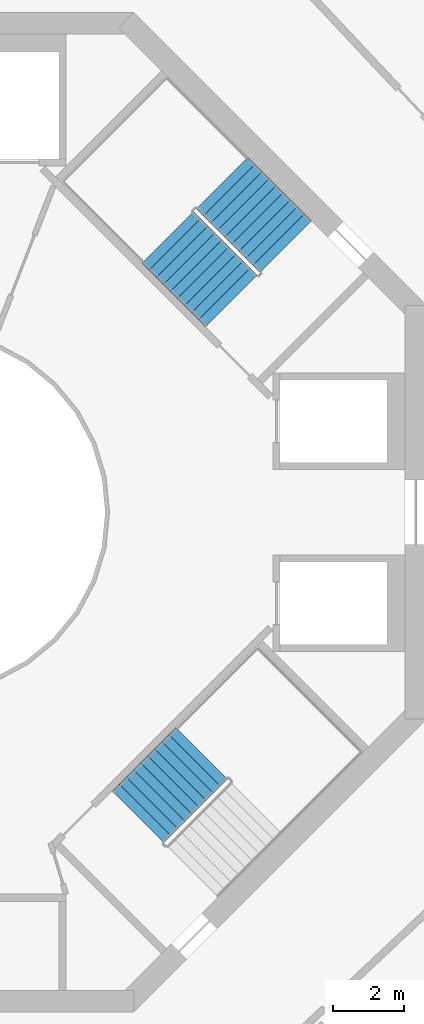
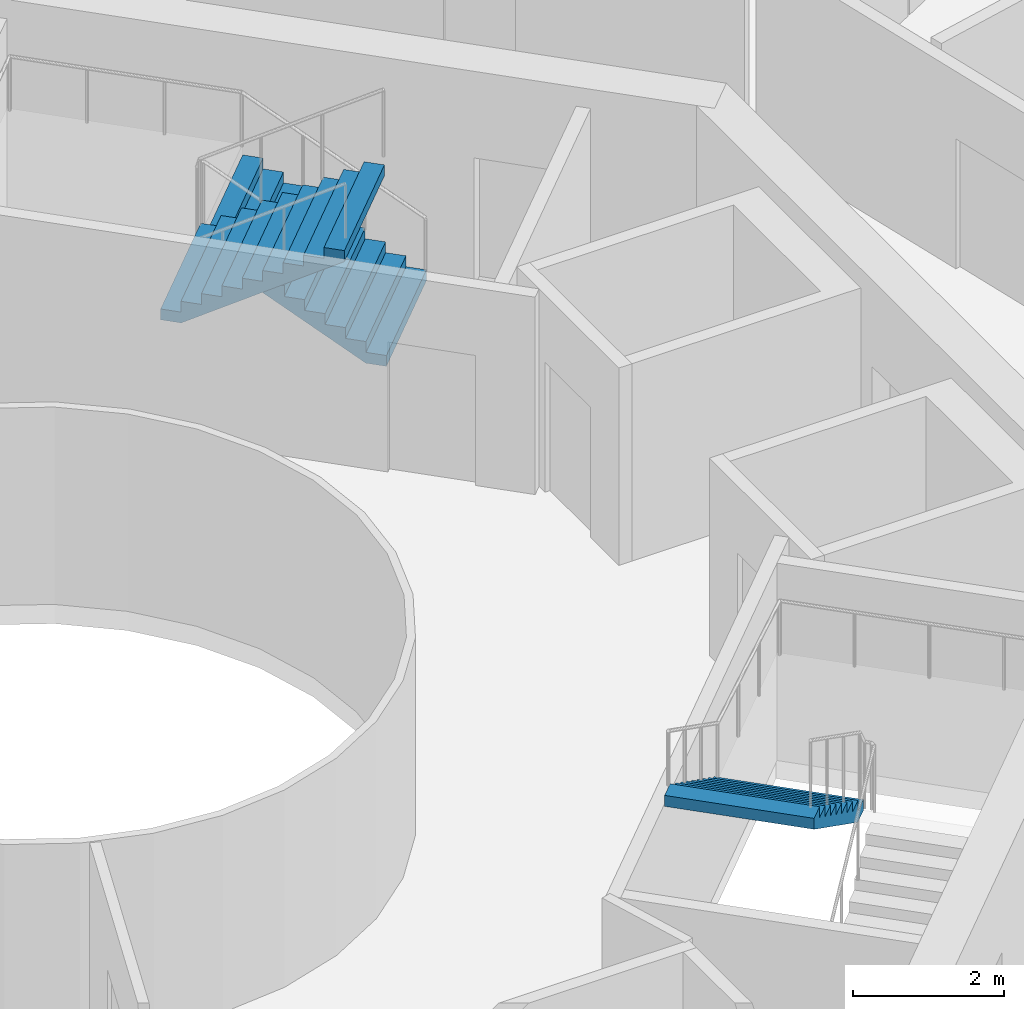
# One storey, part 23 of 24: 3 stair flights, 2 elements without a shape of their own.
"""IFC4 building model written with IfcOpenShell, lengths in metres."""

from ifc_helpers import new_model, si_unit, direction, frame, origin, place, context, subcontext, project, spatial, triangles, material, type_object, element, aggregate, save


model = new_model("IFC4")

# Units and contexts
model_context = context("Model", 3, precision=1e-05, world=origin(), true_north=direction((0.0, 1.0)))
body_context = subcontext(model_context, "Body", "Model", "MODEL_VIEW")
ifc_project = project(units=[si_unit("LENGTHUNIT", "METRE"), si_unit("AREAUNIT", "SQUARE_METRE"), si_unit("VOLUMEUNIT", "CUBIC_METRE"), si_unit("PLANEANGLEUNIT", "RADIAN"), si_unit("MASSUNIT", "GRAM", prefix="KILO")], contexts=[model_context])

# Site, building, storey
site_placement = place(None, origin())
site = spatial("IfcSite", under=ifc_project, at=site_placement, CompositionType="ELEMENT")
building_placement = place(site_placement, origin())
building = spatial("IfcBuilding", under=site, at=building_placement, Name="Verdalira Terraces Hotel", CompositionType="ELEMENT")
storey_placement = place(building_placement, frame((0.0, 0.0, 209.0)))
storey = spatial("IfcBuildingStorey", under=building, at=storey_placement, Name="L51", CompositionType="ELEMENT", Elevation=209.0)

# Stair, stair flights
ifc_material_1 = material(Name="Concrete C40", Category="concrete")
stair_type = type_object("IfcStairType", Name="Core stair 20 risers 2050 mm wide", PredefinedType="HALF_TURN_STAIR", material=ifc_material_1)
stair_1_placement = place(storey_placement, origin())
stair_1 = element("IfcStair", 1, at=stair_1_placement, inside=storey, type_object=stair_type, Name="L51 Exit stair ST1", PredefinedType="HALF_TURN_STAIR")
ifc_material_2 = material(Name="Concrete C40", Category="concrete")
stair_flight_type = type_object("IfcStairFlightType", Name="Core stair flight 20 risers 2050 mm wide", PredefinedType="STRAIGHT", material=ifc_material_2)
stair_flight_1_placement = place(storey_placement, frame((10.058594, 7.442383, 0.0), z_axis=(0.0, 0.0, 1.0), x_axis=(-0.707106781, 0.707106781, 0.0)))
stair_flight_1 = element("IfcStairFlight", 2, at=stair_flight_1_placement, type_object=stair_flight_type, Name="ST1 flight 1", NumberOfRisers=10, NumberOfTreads=9, PredefinedType="STRAIGHT", RiserHeight=0.175, TreadLength=0.28, context=body_context, shape_type="Tessellation", body=[
    triangles([(0.0, 1.025024, 0.0), (0.282715, 1.025024, 0.0), (2.52002, 1.025024, 1.398193), (0.0, -1.025024, 0.0), (0.282715, -1.025024, 0.0), (2.52002, -1.025024, 1.398193), (2.52002, 1.025024, 1.574951), (2.23999, 1.025024, 1.574951), (2.52002, -1.025024, 1.574951), (2.23999, -1.025024, 1.574951), (2.23999, 1.025024, 1.399902), (2.23999, -1.025024, 1.399902), (1.959961, 1.025024, 1.399902), (1.959961, -1.025024, 1.399902), (1.959961, 1.025024, 1.225098), (1.959961, -1.025024, 1.225098), (1.679932, 1.025024, 1.225098), (1.679932, 1.025024, 1.050049), (1.679932, -1.025024, 1.225098), (1.679932, -1.025024, 1.050049), (1.399902, 1.025024, 1.050049), (1.399902, 1.025024, 0.875), (1.399902, -1.025024, 1.050049), (1.399902, -1.025024, 0.875), (1.120117, 1.025024, 0.875), (1.120117, 1.025024, 0.699951), (1.120117, -1.025024, 0.875), (1.120117, -1.025024, 0.699951), (0.840088, 1.025024, 0.699951), (0.840088, 1.025024, 0.524902), (0.840088, -1.025024, 0.699951), (0.840088, -1.025024, 0.524902), (0.560059, 1.025024, 0.524902), (0.560059, 1.025024, 0.350098), (0.560059, -1.025024, 0.524902), (0.560059, -1.025024, 0.350098), (0.280029, 1.025024, 0.350098), (0.280029, 1.025024, 0.175049), (0.280029, -1.025024, 0.350098), (0.280029, -1.025024, 0.175049), (0.0, 1.025024, 0.175049), (0.0, -1.025024, 0.175049), (0.0, -0.96096, 0.0), (0.0, -0.96096, 0.175049), (0.0, -0.896896, 0.0), (0.0, -0.896896, 0.175049), (0.0, -0.832832, 0.0), (0.0, -0.832832, 0.175049), (0.0, -0.768768, 0.0), (0.0, -0.768768, 0.175049), (0.0, -0.704704, 0.0), (0.0, -0.704704, 0.175049), (0.0, -0.64064, 0.0), (0.0, -0.64064, 0.175049), (0.0, -0.576576, 0.0), (0.0, -0.576576, 0.175049), (0.0, -0.512512, 0.0), (0.0, -0.512512, 0.175049), (0.0, -0.448448, 0.0), (0.0, -0.448448, 0.175049), (0.0, -0.384384, 0.0), (0.0, -0.384384, 0.175049), (0.0, -0.32032, 0.0), (0.0, -0.32032, 0.175049), (0.0, -0.256256, 0.0), (0.0, -0.256256, 0.175049), (0.0, -0.192192, 0.0), (0.0, -0.192192, 0.175049), (0.0, -0.128128, 0.0), (0.0, -0.128128, 0.175049), (0.0, -0.064064, 0.0), (0.0, -0.064064, 0.175049), (0.0, 0.0, 0.0), (0.0, 0.0, 0.175049), (0.0, 0.064064, 0.0), (0.0, 0.064064, 0.175049), (0.0, 0.128128, 0.0), (0.0, 0.128128, 0.175049), (0.0, 0.192192, 0.0), (0.0, 0.192192, 0.175049), (0.0, 0.256256, 0.0), (0.0, 0.256256, 0.175049), (0.0, 0.32032, 0.0), (0.0, 0.32032, 0.175049), (0.0, 0.384384, 0.0), (0.0, 0.384384, 0.175049), (0.0, 0.448448, 0.0), (0.0, 0.448448, 0.175049), (0.0, 0.512512, 0.0), (0.0, 0.512512, 0.175049), (0.0, 0.576576, 0.0), (0.0, 0.576576, 0.175049), (0.0, 0.64064, 0.0), (0.0, 0.64064, 0.175049), (0.0, 0.704704, 0.0), (0.0, 0.704704, 0.175049), (0.0, 0.768768, 0.0), (0.0, 0.768768, 0.175049), (0.0, 0.832832, 0.0), (0.0, 0.832832, 0.175049), (0.0, 0.896896, 0.0), (0.0, 0.896896, 0.175049), (0.0, 0.96096, 0.0), (0.0, 0.96096, 0.175049), (2.52002, -0.96096, 1.574951), (2.52002, -0.896896, 1.574951), (2.52002, -0.832832, 1.574951), (2.52002, -0.768768, 1.574951), (2.52002, -0.704704, 1.574951), (2.52002, -0.64064, 1.574951), (2.52002, -0.576576, 1.574951), (2.52002, -0.512512, 1.574951), (2.52002, -0.448448, 1.574951), (2.52002, -0.384384, 1.574951), (2.52002, -0.32032, 1.574951), (2.52002, -0.256256, 1.574951), (2.52002, -0.192192, 1.574951), (2.52002, -0.128128, 1.574951), (2.52002, -0.064064, 1.574951), (2.52002, 0.0, 1.574951), (2.52002, 0.064064, 1.574951), (2.52002, 0.128128, 1.574951), (2.52002, 0.192192, 1.574951), (2.52002, 0.256256, 1.574951), (2.52002, 0.32032, 1.574951), (2.52002, 0.384384, 1.574951), (2.52002, 0.448448, 1.574951), (2.52002, 0.512512, 1.574951), (2.52002, 0.576576, 1.574951), (2.52002, 0.64064, 1.574951), (2.52002, 0.704704, 1.574951), (2.52002, 0.768768, 1.574951), (2.52002, 0.832832, 1.574951), (2.52002, 0.896896, 1.574951), (2.52002, 0.96096, 1.574951), (2.52002, -0.96096, 1.398193), (2.52002, -0.896896, 1.398193), (2.52002, -0.832832, 1.398193), (2.52002, -0.768768, 1.398193), (2.52002, -0.704704, 1.398193), (2.52002, -0.64064, 1.398193), (2.52002, -0.576576, 1.398193), (2.52002, -0.512512, 1.398193), (2.52002, -0.448448, 1.398193), (2.52002, -0.384384, 1.398193), (2.52002, -0.32032, 1.398193), (2.52002, -0.256256, 1.398193), (2.52002, -0.192192, 1.398193), (2.52002, -0.128128, 1.398193), (2.52002, -0.064064, 1.398193), (2.52002, 0.0, 1.398193), (2.52002, 0.064064, 1.398193), (2.52002, 0.128128, 1.398193), (2.52002, 0.192192, 1.398193), (2.52002, 0.256256, 1.398193), (2.52002, 0.32032, 1.398193), (2.52002, 0.384384, 1.398193), (2.52002, 0.448448, 1.398193), (2.52002, 0.512512, 1.398193), (2.52002, 0.576576, 1.398193), (2.52002, 0.64064, 1.398193), (2.52002, 0.704704, 1.398193), (2.52002, 0.768768, 1.398193), (2.52002, 0.832832, 1.398193), (2.52002, 0.896896, 1.398193), (2.52002, 0.96096, 1.398193)], [[1, 3, 2], [4, 5, 6], [3, 8, 7], [6, 9, 10], [3, 11, 8], [6, 10, 12], [3, 13, 11], [6, 12, 14], [3, 15, 13], [6, 14, 16], [15, 18, 17], [16, 19, 20], [3, 18, 15], [6, 16, 20], [18, 22, 21], [20, 23, 24], [3, 22, 18], [6, 20, 24], [22, 26, 25], [24, 27, 28], [3, 26, 22], [6, 24, 28], [26, 30, 29], [28, 31, 32], [3, 30, 26], [6, 28, 32], [1, 30, 3], [4, 6, 32], [30, 34, 33], [32, 35, 36], [34, 38, 37], [36, 39, 40], [30, 38, 34], [32, 36, 40], [1, 38, 30], [4, 32, 40], [38, 1, 41], [40, 42, 4], [4, 44, 43], [4, 42, 44], [43, 46, 45], [43, 44, 46], [45, 48, 47], [45, 46, 48], [47, 50, 49], [47, 48, 50], [49, 52, 51], [49, 50, 52], [51, 54, 53], [51, 52, 54], [53, 56, 55], [53, 54, 56], [55, 58, 57], [55, 56, 58], [57, 60, 59], [57, 58, 60], [59, 62, 61], [59, 60, 62], [61, 64, 63], [61, 62, 64], [63, 66, 65], [63, 64, 66], [65, 68, 67], [65, 66, 68], [67, 70, 69], [67, 68, 70], [69, 72, 71], [69, 70, 72], [71, 74, 73], [71, 72, 74], [73, 76, 75], [73, 74, 76], [75, 78, 77], [75, 76, 78], [77, 80, 79], [77, 78, 80], [79, 82, 81], [79, 80, 82], [81, 84, 83], [81, 82, 84], [83, 86, 85], [83, 84, 86], [85, 88, 87], [85, 86, 88], [87, 90, 89], [87, 88, 90], [89, 92, 91], [89, 90, 92], [91, 94, 93], [91, 92, 94], [93, 96, 95], [93, 94, 96], [95, 98, 97], [95, 96, 98], [97, 100, 99], [97, 98, 100], [99, 102, 101], [99, 100, 102], [101, 104, 103], [101, 102, 104], [103, 41, 1], [103, 104, 41], [42, 40, 44], [44, 40, 46], [46, 40, 48], [48, 40, 50], [50, 40, 52], [52, 40, 54], [54, 40, 56], [56, 40, 58], [58, 40, 60], [60, 40, 62], [62, 40, 64], [64, 40, 66], [66, 40, 68], [68, 40, 70], [70, 40, 72], [72, 40, 74], [74, 40, 76], [76, 40, 78], [78, 40, 80], [80, 40, 82], [82, 40, 84], [84, 40, 86], [86, 40, 88], [88, 40, 90], [90, 40, 92], [92, 40, 94], [94, 40, 96], [96, 40, 98], [98, 40, 100], [100, 40, 102], [102, 40, 104], [104, 40, 41], [41, 40, 38], [40, 37, 38], [40, 39, 37], [39, 34, 37], [39, 36, 34], [36, 33, 34], [36, 35, 33], [35, 30, 33], [35, 32, 30], [32, 29, 30], [32, 31, 29], [31, 26, 29], [31, 28, 26], [28, 25, 26], [28, 27, 25], [27, 22, 25], [27, 24, 22], [24, 21, 22], [24, 23, 21], [23, 18, 21], [23, 20, 18], [20, 17, 18], [20, 19, 17], [19, 15, 17], [19, 16, 15], [16, 13, 15], [16, 14, 13], [14, 11, 13], [14, 12, 11], [12, 8, 11], [12, 10, 8], [9, 105, 10], [105, 106, 10], [106, 107, 10], [107, 108, 10], [108, 109, 10], [109, 110, 10], [110, 111, 10], [111, 112, 10], [112, 113, 10], [113, 114, 10], [114, 115, 10], [115, 116, 10], [116, 117, 10], [117, 118, 10], [118, 119, 10], [119, 120, 10], [120, 121, 10], [121, 122, 10], [122, 123, 10], [123, 124, 10], [124, 125, 10], [125, 126, 10], [126, 127, 10], [127, 128, 10], [128, 129, 10], [129, 130, 10], [130, 131, 10], [131, 132, 10], [132, 133, 10], [133, 134, 10], [134, 135, 10], [135, 7, 10], [7, 8, 10], [9, 136, 105], [9, 6, 136], [105, 137, 106], [105, 136, 137], [106, 138, 107], [106, 137, 138], [107, 139, 108], [107, 138, 139], [108, 140, 109], [108, 139, 140], [109, 141, 110], [109, 140, 141], [110, 142, 111], [110, 141, 142], [111, 143, 112], [111, 142, 143], [112, 144, 113], [112, 143, 144], [113, 145, 114], [113, 144, 145], [114, 146, 115], [114, 145, 146], [115, 147, 116], [115, 146, 147], [116, 148, 117], [116, 147, 148], [117, 149, 118], [117, 148, 149], [118, 150, 119], [118, 149, 150], [119, 151, 120], [119, 150, 151], [120, 152, 121], [120, 151, 152], [121, 153, 122], [121, 152, 153], [122, 154, 123], [122, 153, 154], [123, 155, 124], [123, 154, 155], [124, 156, 125], [124, 155, 156], [125, 157, 126], [125, 156, 157], [126, 158, 127], [126, 157, 158], [127, 159, 128], [127, 158, 159], [128, 160, 129], [128, 159, 160], [129, 161, 130], [129, 160, 161], [130, 162, 131], [130, 161, 162], [131, 163, 132], [131, 162, 163], [132, 164, 133], [132, 163, 164], [133, 165, 134], [133, 164, 165], [134, 166, 135], [134, 165, 166], [135, 3, 7], [135, 166, 3], [6, 5, 136], [136, 5, 137], [137, 5, 138], [138, 5, 139], [139, 5, 140], [140, 5, 141], [141, 5, 142], [142, 5, 143], [143, 5, 144], [144, 5, 145], [145, 5, 146], [146, 5, 147], [147, 5, 148], [148, 5, 149], [149, 5, 150], [150, 5, 151], [151, 5, 152], [152, 5, 153], [153, 5, 154], [154, 5, 155], [155, 5, 156], [156, 5, 157], [157, 5, 158], [158, 5, 159], [159, 5, 160], [160, 5, 161], [161, 5, 162], [162, 5, 163], [163, 5, 164], [164, 5, 165], [165, 5, 166], [166, 5, 3], [3, 5, 2], [4, 43, 5], [43, 45, 5], [45, 47, 5], [47, 49, 5], [49, 51, 5], [51, 53, 5], [53, 55, 5], [55, 57, 5], [57, 59, 5], [59, 61, 5], [61, 63, 5], [63, 65, 5], [65, 67, 5], [67, 69, 5], [69, 71, 5], [71, 73, 5], [73, 75, 5], [75, 77, 5], [77, 79, 5], [79, 81, 5], [81, 83, 5], [83, 85, 5], [85, 87, 5], [87, 89, 5], [89, 91, 5], [91, 93, 5], [93, 95, 5], [95, 97, 5], [97, 99, 5], [99, 101, 5], [101, 103, 5], [103, 1, 5], [1, 2, 5]], closed=True),
])
stair_flight_2_placement = place(storey_placement, frame((6.756348, 7.703857, 1.75), z_axis=(0.0, 0.0, 1.0), x_axis=(0.707106781, -0.707106781, 0.0)))
stair_flight_2 = element("IfcStairFlight", 3, at=stair_flight_2_placement, type_object=stair_flight_type, Name="ST1 flight 2", NumberOfRisers=10, NumberOfTreads=9, PredefinedType="STRAIGHT", RiserHeight=0.175, TreadLength=0.28, context=body_context, shape_type="Tessellation", body=[
    triangles([(0.0, 1.025024, 0.0), (0.282715, 1.025024, 0.0), (2.52002, 1.025024, 1.398193), (0.0, -1.025024, 0.0), (0.282715, -1.025024, 0.0), (2.52002, -1.025024, 1.398193), (2.52002, 1.025024, 1.574951), (2.23999, 1.025024, 1.574951), (2.52002, -1.025024, 1.574951), (2.23999, -1.025024, 1.574951), (2.23999, 1.025024, 1.399902), (2.23999, -1.025024, 1.399902), (1.959961, 1.025024, 1.399902), (1.959961, -1.025024, 1.399902), (1.959961, 1.025024, 1.225098), (1.959961, -1.025024, 1.225098), (1.679932, 1.025024, 1.225098), (1.679932, 1.025024, 1.050049), (1.679932, -1.025024, 1.225098), (1.679932, -1.025024, 1.050049), (1.399902, 1.025024, 1.050049), (1.399902, 1.025024, 0.875), (1.399902, -1.025024, 1.050049), (1.399902, -1.025024, 0.875), (1.120117, 1.025024, 0.875), (1.120117, 1.025024, 0.699951), (1.120117, -1.025024, 0.875), (1.120117, -1.025024, 0.699951), (0.840088, 1.025024, 0.699951), (0.840088, 1.025024, 0.524902), (0.840088, -1.025024, 0.699951), (0.840088, -1.025024, 0.524902), (0.560059, 1.025024, 0.524902), (0.560059, 1.025024, 0.350098), (0.560059, -1.025024, 0.524902), (0.560059, -1.025024, 0.350098), (0.280029, 1.025024, 0.350098), (0.280029, 1.025024, 0.175049), (0.280029, -1.025024, 0.350098), (0.280029, -1.025024, 0.175049), (0.0, 1.025024, 0.175049), (0.0, -1.025024, 0.175049), (0.0, -0.96096, 0.0), (0.0, -0.96096, 0.175049), (0.0, -0.896896, 0.0), (0.0, -0.896896, 0.175049), (0.0, -0.832832, 0.0), (0.0, -0.832832, 0.175049), (0.0, -0.768768, 0.0), (0.0, -0.768768, 0.175049), (0.0, -0.704704, 0.0), (0.0, -0.704704, 0.175049), (0.0, -0.64064, 0.0), (0.0, -0.64064, 0.175049), (0.0, -0.576576, 0.0), (0.0, -0.576576, 0.175049), (0.0, -0.512512, 0.0), (0.0, -0.512512, 0.175049), (0.0, -0.448448, 0.0), (0.0, -0.448448, 0.175049), (0.0, -0.384384, 0.0), (0.0, -0.384384, 0.175049), (0.0, -0.32032, 0.0), (0.0, -0.32032, 0.175049), (0.0, -0.256256, 0.0), (0.0, -0.256256, 0.175049), (0.0, -0.192192, 0.0), (0.0, -0.192192, 0.175049), (0.0, -0.128128, 0.0), (0.0, -0.128128, 0.175049), (0.0, -0.064064, 0.0), (0.0, -0.064064, 0.175049), (0.0, 0.0, 0.0), (0.0, 0.0, 0.175049), (0.0, 0.064064, 0.0), (0.0, 0.064064, 0.175049), (0.0, 0.128128, 0.0), (0.0, 0.128128, 0.175049), (0.0, 0.192192, 0.0), (0.0, 0.192192, 0.175049), (0.0, 0.256256, 0.0), (0.0, 0.256256, 0.175049), (0.0, 0.32032, 0.0), (0.0, 0.32032, 0.175049), (0.0, 0.384384, 0.0), (0.0, 0.384384, 0.175049), (0.0, 0.448448, 0.0), (0.0, 0.448448, 0.175049), (0.0, 0.512512, 0.0), (0.0, 0.512512, 0.175049), (0.0, 0.576576, 0.0), (0.0, 0.576576, 0.175049), (0.0, 0.64064, 0.0), (0.0, 0.64064, 0.175049), (0.0, 0.704704, 0.0), (0.0, 0.704704, 0.175049), (0.0, 0.768768, 0.0), (0.0, 0.768768, 0.175049), (0.0, 0.832832, 0.0), (0.0, 0.832832, 0.175049), (0.0, 0.896896, 0.0), (0.0, 0.896896, 0.175049), (0.0, 0.96096, 0.0), (0.0, 0.96096, 0.175049), (2.52002, -0.96096, 1.574951), (2.52002, -0.896896, 1.574951), (2.52002, -0.832832, 1.574951), (2.52002, -0.768768, 1.574951), (2.52002, -0.704704, 1.574951), (2.52002, -0.64064, 1.574951), (2.52002, -0.576576, 1.574951), (2.52002, -0.512512, 1.574951), (2.52002, -0.448448, 1.574951), (2.52002, -0.384384, 1.574951), (2.52002, -0.32032, 1.574951), (2.52002, -0.256256, 1.574951), (2.52002, -0.192192, 1.574951), (2.52002, -0.128128, 1.574951), (2.52002, -0.064064, 1.574951), (2.52002, 0.0, 1.574951), (2.52002, 0.064064, 1.574951), (2.52002, 0.128128, 1.574951), (2.52002, 0.192192, 1.574951), (2.52002, 0.256256, 1.574951), (2.52002, 0.32032, 1.574951), (2.52002, 0.384384, 1.574951), (2.52002, 0.448448, 1.574951), (2.52002, 0.512512, 1.574951), (2.52002, 0.576576, 1.574951), (2.52002, 0.64064, 1.574951), (2.52002, 0.704704, 1.574951), (2.52002, 0.768768, 1.574951), (2.52002, 0.832832, 1.574951), (2.52002, 0.896896, 1.574951), (2.52002, 0.96096, 1.574951), (2.52002, -0.96096, 1.398193), (2.52002, -0.896896, 1.398193), (2.52002, -0.832832, 1.398193), (2.52002, -0.768768, 1.398193), (2.52002, -0.704704, 1.398193), (2.52002, -0.64064, 1.398193), (2.52002, -0.576576, 1.398193), (2.52002, -0.512512, 1.398193), (2.52002, -0.448448, 1.398193), (2.52002, -0.384384, 1.398193), (2.52002, -0.32032, 1.398193), (2.52002, -0.256256, 1.398193), (2.52002, -0.192192, 1.398193), (2.52002, -0.128128, 1.398193), (2.52002, -0.064064, 1.398193), (2.52002, 0.0, 1.398193), (2.52002, 0.064064, 1.398193), (2.52002, 0.128128, 1.398193), (2.52002, 0.192192, 1.398193), (2.52002, 0.256256, 1.398193), (2.52002, 0.32032, 1.398193), (2.52002, 0.384384, 1.398193), (2.52002, 0.448448, 1.398193), (2.52002, 0.512512, 1.398193), (2.52002, 0.576576, 1.398193), (2.52002, 0.64064, 1.398193), (2.52002, 0.704704, 1.398193), (2.52002, 0.768768, 1.398193), (2.52002, 0.832832, 1.398193), (2.52002, 0.896896, 1.398193), (2.52002, 0.96096, 1.398193)], [[1, 3, 2], [4, 5, 6], [3, 8, 7], [6, 9, 10], [3, 11, 8], [6, 10, 12], [3, 13, 11], [6, 12, 14], [3, 15, 13], [6, 14, 16], [15, 18, 17], [16, 19, 20], [3, 18, 15], [6, 16, 20], [18, 22, 21], [20, 23, 24], [3, 22, 18], [6, 20, 24], [22, 26, 25], [24, 27, 28], [3, 26, 22], [6, 24, 28], [26, 30, 29], [28, 31, 32], [3, 30, 26], [6, 28, 32], [1, 30, 3], [4, 6, 32], [30, 34, 33], [32, 35, 36], [34, 38, 37], [36, 39, 40], [30, 38, 34], [32, 36, 40], [1, 38, 30], [4, 32, 40], [38, 1, 41], [40, 42, 4], [4, 44, 43], [4, 42, 44], [43, 46, 45], [43, 44, 46], [45, 48, 47], [45, 46, 48], [47, 50, 49], [47, 48, 50], [49, 52, 51], [49, 50, 52], [51, 54, 53], [51, 52, 54], [53, 56, 55], [53, 54, 56], [55, 58, 57], [55, 56, 58], [57, 60, 59], [57, 58, 60], [59, 62, 61], [59, 60, 62], [61, 64, 63], [61, 62, 64], [63, 66, 65], [63, 64, 66], [65, 68, 67], [65, 66, 68], [67, 70, 69], [67, 68, 70], [69, 72, 71], [69, 70, 72], [71, 74, 73], [71, 72, 74], [73, 76, 75], [73, 74, 76], [75, 78, 77], [75, 76, 78], [77, 80, 79], [77, 78, 80], [79, 82, 81], [79, 80, 82], [81, 84, 83], [81, 82, 84], [83, 86, 85], [83, 84, 86], [85, 88, 87], [85, 86, 88], [87, 90, 89], [87, 88, 90], [89, 92, 91], [89, 90, 92], [91, 94, 93], [91, 92, 94], [93, 96, 95], [93, 94, 96], [95, 98, 97], [95, 96, 98], [97, 100, 99], [97, 98, 100], [99, 102, 101], [99, 100, 102], [101, 104, 103], [101, 102, 104], [103, 41, 1], [103, 104, 41], [42, 40, 44], [44, 40, 46], [46, 40, 48], [48, 40, 50], [50, 40, 52], [52, 40, 54], [54, 40, 56], [56, 40, 58], [58, 40, 60], [60, 40, 62], [62, 40, 64], [64, 40, 66], [66, 40, 68], [68, 40, 70], [70, 40, 72], [72, 40, 74], [74, 40, 76], [76, 40, 78], [78, 40, 80], [80, 40, 82], [82, 40, 84], [84, 40, 86], [86, 40, 88], [88, 40, 90], [90, 40, 92], [92, 40, 94], [94, 40, 96], [96, 40, 98], [98, 40, 100], [100, 40, 102], [102, 40, 104], [104, 40, 41], [41, 40, 38], [40, 37, 38], [40, 39, 37], [39, 34, 37], [39, 36, 34], [36, 33, 34], [36, 35, 33], [35, 30, 33], [35, 32, 30], [32, 29, 30], [32, 31, 29], [31, 26, 29], [31, 28, 26], [28, 25, 26], [28, 27, 25], [27, 22, 25], [27, 24, 22], [24, 21, 22], [24, 23, 21], [23, 18, 21], [23, 20, 18], [20, 17, 18], [20, 19, 17], [19, 15, 17], [19, 16, 15], [16, 13, 15], [16, 14, 13], [14, 11, 13], [14, 12, 11], [12, 8, 11], [12, 10, 8], [9, 105, 10], [105, 106, 10], [106, 107, 10], [107, 108, 10], [108, 109, 10], [109, 110, 10], [110, 111, 10], [111, 112, 10], [112, 113, 10], [113, 114, 10], [114, 115, 10], [115, 116, 10], [116, 117, 10], [117, 118, 10], [118, 119, 10], [119, 120, 10], [120, 121, 10], [121, 122, 10], [122, 123, 10], [123, 124, 10], [124, 125, 10], [125, 126, 10], [126, 127, 10], [127, 128, 10], [128, 129, 10], [129, 130, 10], [130, 131, 10], [131, 132, 10], [132, 133, 10], [133, 134, 10], [134, 135, 10], [135, 7, 10], [7, 8, 10], [9, 136, 105], [9, 6, 136], [105, 137, 106], [105, 136, 137], [106, 138, 107], [106, 137, 138], [107, 139, 108], [107, 138, 139], [108, 140, 109], [108, 139, 140], [109, 141, 110], [109, 140, 141], [110, 142, 111], [110, 141, 142], [111, 143, 112], [111, 142, 143], [112, 144, 113], [112, 143, 144], [113, 145, 114], [113, 144, 145], [114, 146, 115], [114, 145, 146], [115, 147, 116], [115, 146, 147], [116, 148, 117], [116, 147, 148], [117, 149, 118], [117, 148, 149], [118, 150, 119], [118, 149, 150], [119, 151, 120], [119, 150, 151], [120, 152, 121], [120, 151, 152], [121, 153, 122], [121, 152, 153], [122, 154, 123], [122, 153, 154], [123, 155, 124], [123, 154, 155], [124, 156, 125], [124, 155, 156], [125, 157, 126], [125, 156, 157], [126, 158, 127], [126, 157, 158], [127, 159, 128], [127, 158, 159], [128, 160, 129], [128, 159, 160], [129, 161, 130], [129, 160, 161], [130, 162, 131], [130, 161, 162], [131, 163, 132], [131, 162, 163], [132, 164, 133], [132, 163, 164], [133, 165, 134], [133, 164, 165], [134, 166, 135], [134, 165, 166], [135, 3, 7], [135, 166, 3], [6, 5, 136], [136, 5, 137], [137, 5, 138], [138, 5, 139], [139, 5, 140], [140, 5, 141], [141, 5, 142], [142, 5, 143], [143, 5, 144], [144, 5, 145], [145, 5, 146], [146, 5, 147], [147, 5, 148], [148, 5, 149], [149, 5, 150], [150, 5, 151], [151, 5, 152], [152, 5, 153], [153, 5, 154], [154, 5, 155], [155, 5, 156], [156, 5, 157], [157, 5, 158], [158, 5, 159], [159, 5, 160], [160, 5, 161], [161, 5, 162], [162, 5, 163], [163, 5, 164], [164, 5, 165], [165, 5, 166], [166, 5, 3], [3, 5, 2], [4, 43, 5], [43, 45, 5], [45, 47, 5], [47, 49, 5], [49, 51, 5], [51, 53, 5], [53, 55, 5], [55, 57, 5], [57, 59, 5], [59, 61, 5], [61, 63, 5], [63, 65, 5], [65, 67, 5], [67, 69, 5], [69, 71, 5], [71, 73, 5], [73, 75, 5], [75, 77, 5], [77, 79, 5], [79, 81, 5], [81, 83, 5], [83, 85, 5], [85, 87, 5], [87, 89, 5], [89, 91, 5], [91, 93, 5], [93, 95, 5], [95, 97, 5], [97, 99, 5], [99, 101, 5], [101, 103, 5], [103, 1, 5], [1, 2, 5]], closed=True),
])
aggregate(stair_1, [stair_flight_1, stair_flight_2])

# Stair, stair flight
stair_2_placement = place(storey_placement, origin())
stair_2 = element("IfcStair", 4, at=stair_2_placement, inside=storey, type_object=stair_type, Name="L51 Exit stair ST3", PredefinedType="HALF_TURN_STAIR")
stair_flight_3_placement = place(storey_placement, frame((7.703857, -6.756348, 1.75), z_axis=(0.0, 0.0, 1.0), x_axis=(-0.707106781, -0.707106781, 0.0)))
stair_flight_3 = element("IfcStairFlight", 5, at=stair_flight_3_placement, type_object=stair_flight_type, Name="ST3 flight 2", NumberOfRisers=10, NumberOfTreads=9, PredefinedType="STRAIGHT", RiserHeight=0.175, TreadLength=0.28, context=body_context, shape_type="Tessellation", body=[
    triangles([(0.0, 1.025024, 0.0), (0.282715, 1.025024, 0.0), (2.52002, 1.025024, 1.398193), (0.0, -1.025024, 0.0), (0.282715, -1.025024, 0.0), (2.52002, -1.025024, 1.398193), (2.52002, 1.025024, 1.574951), (2.23999, 1.025024, 1.574951), (2.52002, -1.025024, 1.574951), (2.23999, -1.025024, 1.574951), (2.23999, 1.025024, 1.399902), (2.23999, -1.025024, 1.399902), (1.959961, 1.025024, 1.399902), (1.959961, -1.025024, 1.399902), (1.959961, 1.025024, 1.225098), (1.959961, -1.025024, 1.225098), (1.679932, 1.025024, 1.225098), (1.679932, 1.025024, 1.050049), (1.679932, -1.025024, 1.225098), (1.679932, -1.025024, 1.050049), (1.399902, 1.025024, 1.050049), (1.399902, 1.025024, 0.875), (1.399902, -1.025024, 1.050049), (1.399902, -1.025024, 0.875), (1.120117, 1.025024, 0.875), (1.120117, 1.025024, 0.699951), (1.120117, -1.025024, 0.875), (1.120117, -1.025024, 0.699951), (0.840088, 1.025024, 0.699951), (0.840088, 1.025024, 0.524902), (0.840088, -1.025024, 0.699951), (0.840088, -1.025024, 0.524902), (0.560059, 1.025024, 0.524902), (0.560059, 1.025024, 0.350098), (0.560059, -1.025024, 0.524902), (0.560059, -1.025024, 0.350098), (0.280029, 1.025024, 0.350098), (0.280029, 1.025024, 0.175049), (0.280029, -1.025024, 0.350098), (0.280029, -1.025024, 0.175049), (0.0, 1.025024, 0.175049), (0.0, -1.025024, 0.175049), (0.0, -0.96096, 0.0), (0.0, -0.96096, 0.175049), (0.0, -0.896896, 0.0), (0.0, -0.896896, 0.175049), (0.0, -0.832832, 0.0), (0.0, -0.832832, 0.175049), (0.0, -0.768768, 0.0), (0.0, -0.768768, 0.175049), (0.0, -0.704704, 0.0), (0.0, -0.704704, 0.175049), (0.0, -0.64064, 0.0), (0.0, -0.64064, 0.175049), (0.0, -0.576576, 0.0), (0.0, -0.576576, 0.175049), (0.0, -0.512512, 0.0), (0.0, -0.512512, 0.175049), (0.0, -0.448448, 0.0), (0.0, -0.448448, 0.175049), (0.0, -0.384384, 0.0), (0.0, -0.384384, 0.175049), (0.0, -0.32032, 0.0), (0.0, -0.32032, 0.175049), (0.0, -0.256256, 0.0), (0.0, -0.256256, 0.175049), (0.0, -0.192192, 0.0), (0.0, -0.192192, 0.175049), (0.0, -0.128128, 0.0), (0.0, -0.128128, 0.175049), (0.0, -0.064064, 0.0), (0.0, -0.064064, 0.175049), (0.0, 0.0, 0.0), (0.0, 0.0, 0.175049), (0.0, 0.064064, 0.0), (0.0, 0.064064, 0.175049), (0.0, 0.128128, 0.0), (0.0, 0.128128, 0.175049), (0.0, 0.192192, 0.0), (0.0, 0.192192, 0.175049), (0.0, 0.256256, 0.0), (0.0, 0.256256, 0.175049), (0.0, 0.32032, 0.0), (0.0, 0.32032, 0.175049), (0.0, 0.384384, 0.0), (0.0, 0.384384, 0.175049), (0.0, 0.448448, 0.0), (0.0, 0.448448, 0.175049), (0.0, 0.512512, 0.0), (0.0, 0.512512, 0.175049), (0.0, 0.576576, 0.0), (0.0, 0.576576, 0.175049), (0.0, 0.64064, 0.0), (0.0, 0.64064, 0.175049), (0.0, 0.704704, 0.0), (0.0, 0.704704, 0.175049), (0.0, 0.768768, 0.0), (0.0, 0.768768, 0.175049), (0.0, 0.832832, 0.0), (0.0, 0.832832, 0.175049), (0.0, 0.896896, 0.0), (0.0, 0.896896, 0.175049), (0.0, 0.96096, 0.0), (0.0, 0.96096, 0.175049), (2.52002, -0.96096, 1.574951), (2.52002, -0.896896, 1.574951), (2.52002, -0.832832, 1.574951), (2.52002, -0.768768, 1.574951), (2.52002, -0.704704, 1.574951), (2.52002, -0.64064, 1.574951), (2.52002, -0.576576, 1.574951), (2.52002, -0.512512, 1.574951), (2.52002, -0.448448, 1.574951), (2.52002, -0.384384, 1.574951), (2.52002, -0.32032, 1.574951), (2.52002, -0.256256, 1.574951), (2.52002, -0.192192, 1.574951), (2.52002, -0.128128, 1.574951), (2.52002, -0.064064, 1.574951), (2.52002, 0.0, 1.574951), (2.52002, 0.064064, 1.574951), (2.52002, 0.128128, 1.574951), (2.52002, 0.192192, 1.574951), (2.52002, 0.256256, 1.574951), (2.52002, 0.32032, 1.574951), (2.52002, 0.384384, 1.574951), (2.52002, 0.448448, 1.574951), (2.52002, 0.512512, 1.574951), (2.52002, 0.576576, 1.574951), (2.52002, 0.64064, 1.574951), (2.52002, 0.704704, 1.574951), (2.52002, 0.768768, 1.574951), (2.52002, 0.832832, 1.574951), (2.52002, 0.896896, 1.574951), (2.52002, 0.96096, 1.574951), (2.52002, -0.96096, 1.398193), (2.52002, -0.896896, 1.398193), (2.52002, -0.832832, 1.398193), (2.52002, -0.768768, 1.398193), (2.52002, -0.704704, 1.398193), (2.52002, -0.64064, 1.398193), (2.52002, -0.576576, 1.398193), (2.52002, -0.512512, 1.398193), (2.52002, -0.448448, 1.398193), (2.52002, -0.384384, 1.398193), (2.52002, -0.32032, 1.398193), (2.52002, -0.256256, 1.398193), (2.52002, -0.192192, 1.398193), (2.52002, -0.128128, 1.398193), (2.52002, -0.064064, 1.398193), (2.52002, 0.0, 1.398193), (2.52002, 0.064064, 1.398193), (2.52002, 0.128128, 1.398193), (2.52002, 0.192192, 1.398193), (2.52002, 0.256256, 1.398193), (2.52002, 0.32032, 1.398193), (2.52002, 0.384384, 1.398193), (2.52002, 0.448448, 1.398193), (2.52002, 0.512512, 1.398193), (2.52002, 0.576576, 1.398193), (2.52002, 0.64064, 1.398193), (2.52002, 0.704704, 1.398193), (2.52002, 0.768768, 1.398193), (2.52002, 0.832832, 1.398193), (2.52002, 0.896896, 1.398193), (2.52002, 0.96096, 1.398193)], [[1, 3, 2], [4, 5, 6], [3, 8, 7], [6, 9, 10], [3, 11, 8], [6, 10, 12], [3, 13, 11], [6, 12, 14], [3, 15, 13], [6, 14, 16], [15, 18, 17], [16, 19, 20], [3, 18, 15], [6, 16, 20], [18, 22, 21], [20, 23, 24], [3, 22, 18], [6, 20, 24], [22, 26, 25], [24, 27, 28], [3, 26, 22], [6, 24, 28], [26, 30, 29], [28, 31, 32], [3, 30, 26], [6, 28, 32], [1, 30, 3], [4, 6, 32], [30, 34, 33], [32, 35, 36], [34, 38, 37], [36, 39, 40], [30, 38, 34], [32, 36, 40], [1, 38, 30], [4, 32, 40], [38, 1, 41], [40, 42, 4], [4, 44, 43], [4, 42, 44], [43, 46, 45], [43, 44, 46], [45, 48, 47], [45, 46, 48], [47, 50, 49], [47, 48, 50], [49, 52, 51], [49, 50, 52], [51, 54, 53], [51, 52, 54], [53, 56, 55], [53, 54, 56], [55, 58, 57], [55, 56, 58], [57, 60, 59], [57, 58, 60], [59, 62, 61], [59, 60, 62], [61, 64, 63], [61, 62, 64], [63, 66, 65], [63, 64, 66], [65, 68, 67], [65, 66, 68], [67, 70, 69], [67, 68, 70], [69, 72, 71], [69, 70, 72], [71, 74, 73], [71, 72, 74], [73, 76, 75], [73, 74, 76], [75, 78, 77], [75, 76, 78], [77, 80, 79], [77, 78, 80], [79, 82, 81], [79, 80, 82], [81, 84, 83], [81, 82, 84], [83, 86, 85], [83, 84, 86], [85, 88, 87], [85, 86, 88], [87, 90, 89], [87, 88, 90], [89, 92, 91], [89, 90, 92], [91, 94, 93], [91, 92, 94], [93, 96, 95], [93, 94, 96], [95, 98, 97], [95, 96, 98], [97, 100, 99], [97, 98, 100], [99, 102, 101], [99, 100, 102], [101, 104, 103], [101, 102, 104], [103, 41, 1], [103, 104, 41], [42, 40, 44], [44, 40, 46], [46, 40, 48], [48, 40, 50], [50, 40, 52], [52, 40, 54], [54, 40, 56], [56, 40, 58], [58, 40, 60], [60, 40, 62], [62, 40, 64], [64, 40, 66], [66, 40, 68], [68, 40, 70], [70, 40, 72], [72, 40, 74], [74, 40, 76], [76, 40, 78], [78, 40, 80], [80, 40, 82], [82, 40, 84], [84, 40, 86], [86, 40, 88], [88, 40, 90], [90, 40, 92], [92, 40, 94], [94, 40, 96], [96, 40, 98], [98, 40, 100], [100, 40, 102], [102, 40, 104], [104, 40, 41], [41, 40, 38], [40, 37, 38], [40, 39, 37], [39, 34, 37], [39, 36, 34], [36, 33, 34], [36, 35, 33], [35, 30, 33], [35, 32, 30], [32, 29, 30], [32, 31, 29], [31, 26, 29], [31, 28, 26], [28, 25, 26], [28, 27, 25], [27, 22, 25], [27, 24, 22], [24, 21, 22], [24, 23, 21], [23, 18, 21], [23, 20, 18], [20, 17, 18], [20, 19, 17], [19, 15, 17], [19, 16, 15], [16, 13, 15], [16, 14, 13], [14, 11, 13], [14, 12, 11], [12, 8, 11], [12, 10, 8], [9, 105, 10], [105, 106, 10], [106, 107, 10], [107, 108, 10], [108, 109, 10], [109, 110, 10], [110, 111, 10], [111, 112, 10], [112, 113, 10], [113, 114, 10], [114, 115, 10], [115, 116, 10], [116, 117, 10], [117, 118, 10], [118, 119, 10], [119, 120, 10], [120, 121, 10], [121, 122, 10], [122, 123, 10], [123, 124, 10], [124, 125, 10], [125, 126, 10], [126, 127, 10], [127, 128, 10], [128, 129, 10], [129, 130, 10], [130, 131, 10], [131, 132, 10], [132, 133, 10], [133, 134, 10], [134, 135, 10], [135, 7, 10], [7, 8, 10], [9, 136, 105], [9, 6, 136], [105, 137, 106], [105, 136, 137], [106, 138, 107], [106, 137, 138], [107, 139, 108], [107, 138, 139], [108, 140, 109], [108, 139, 140], [109, 141, 110], [109, 140, 141], [110, 142, 111], [110, 141, 142], [111, 143, 112], [111, 142, 143], [112, 144, 113], [112, 143, 144], [113, 145, 114], [113, 144, 145], [114, 146, 115], [114, 145, 146], [115, 147, 116], [115, 146, 147], [116, 148, 117], [116, 147, 148], [117, 149, 118], [117, 148, 149], [118, 150, 119], [118, 149, 150], [119, 151, 120], [119, 150, 151], [120, 152, 121], [120, 151, 152], [121, 153, 122], [121, 152, 153], [122, 154, 123], [122, 153, 154], [123, 155, 124], [123, 154, 155], [124, 156, 125], [124, 155, 156], [125, 157, 126], [125, 156, 157], [126, 158, 127], [126, 157, 158], [127, 159, 128], [127, 158, 159], [128, 160, 129], [128, 159, 160], [129, 161, 130], [129, 160, 161], [130, 162, 131], [130, 161, 162], [131, 163, 132], [131, 162, 163], [132, 164, 133], [132, 163, 164], [133, 165, 134], [133, 164, 165], [134, 166, 135], [134, 165, 166], [135, 3, 7], [135, 166, 3], [6, 5, 136], [136, 5, 137], [137, 5, 138], [138, 5, 139], [139, 5, 140], [140, 5, 141], [141, 5, 142], [142, 5, 143], [143, 5, 144], [144, 5, 145], [145, 5, 146], [146, 5, 147], [147, 5, 148], [148, 5, 149], [149, 5, 150], [150, 5, 151], [151, 5, 152], [152, 5, 153], [153, 5, 154], [154, 5, 155], [155, 5, 156], [156, 5, 157], [157, 5, 158], [158, 5, 159], [159, 5, 160], [160, 5, 161], [161, 5, 162], [162, 5, 163], [163, 5, 164], [164, 5, 165], [165, 5, 166], [166, 5, 3], [3, 5, 2], [4, 43, 5], [43, 45, 5], [45, 47, 5], [47, 49, 5], [49, 51, 5], [51, 53, 5], [53, 55, 5], [55, 57, 5], [57, 59, 5], [59, 61, 5], [61, 63, 5], [63, 65, 5], [65, 67, 5], [67, 69, 5], [69, 71, 5], [71, 73, 5], [73, 75, 5], [75, 77, 5], [77, 79, 5], [79, 81, 5], [81, 83, 5], [83, 85, 5], [85, 87, 5], [87, 89, 5], [89, 91, 5], [91, 93, 5], [93, 95, 5], [95, 97, 5], [97, 99, 5], [99, 101, 5], [101, 103, 5], [103, 1, 5], [1, 2, 5]], closed=True),
])
aggregate(stair_2, [stair_flight_3])

save(model, "model.ifc")
